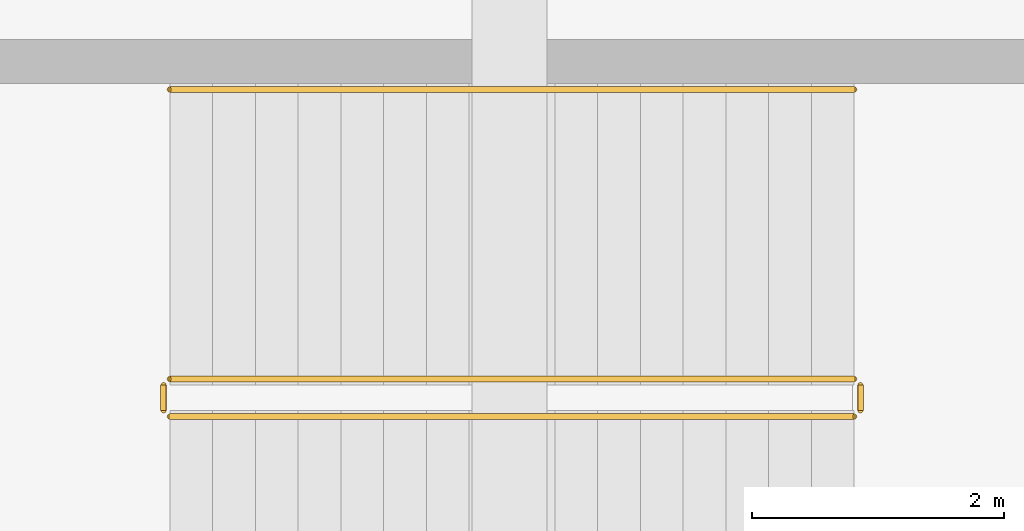
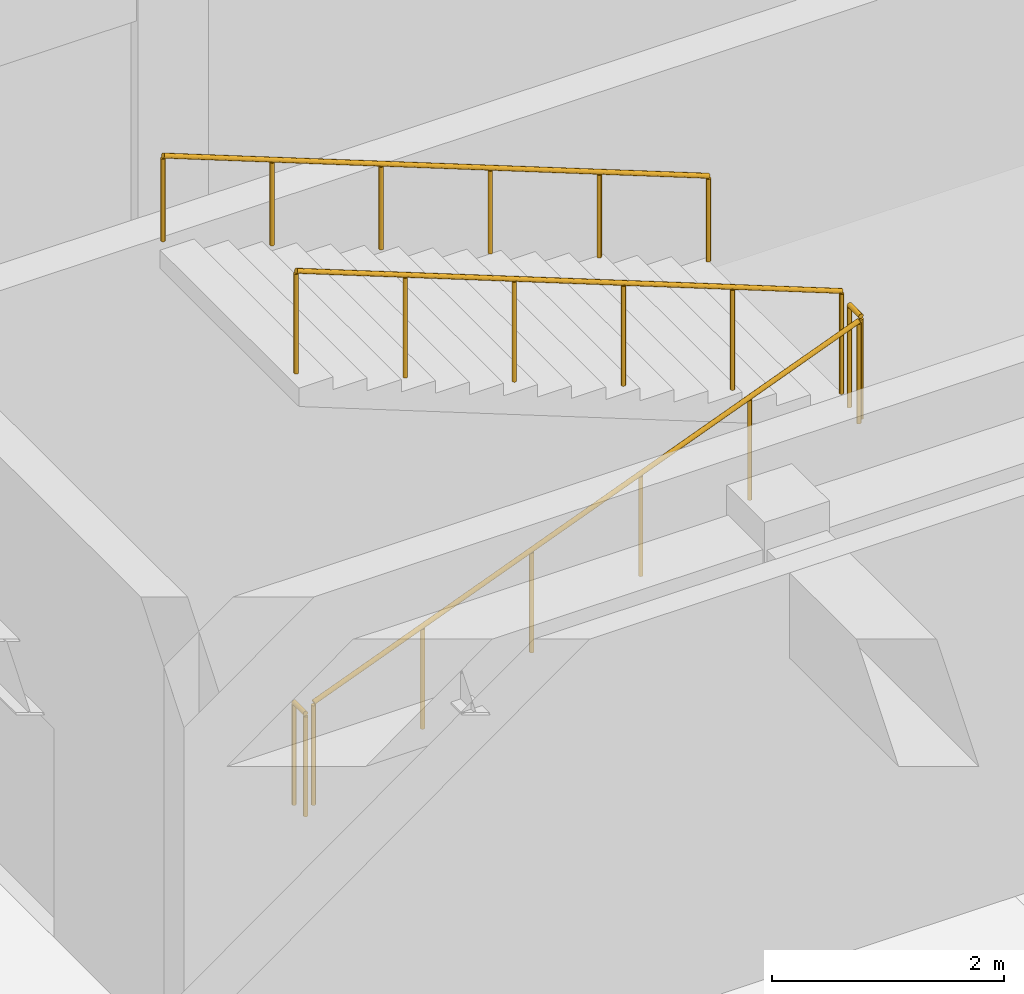
# One storey, part 28 of 33: 5 railings.
"""IFC4 building model written with IfcOpenShell, lengths in metres."""

from ifc_helpers import new_model, si_unit, direction, frame, origin, origin_2d, place, context, subcontext, project, spatial, circle, extrude, material, type_object, element, save


model = new_model("IFC4")

# Units and contexts
model_context = context("Model", 3, precision=1e-05, world=origin(), true_north=direction((0.0, 1.0)))
body_context = subcontext(model_context, "Body", "Model", "MODEL_VIEW")
ifc_project = project(units=[si_unit("LENGTHUNIT", "METRE"), si_unit("AREAUNIT", "SQUARE_METRE"), si_unit("VOLUMEUNIT", "CUBIC_METRE"), si_unit("PLANEANGLEUNIT", "RADIAN"), si_unit("MASSUNIT", "GRAM", prefix="KILO")], contexts=[model_context])

# Site, building, storey
site_placement = place(None, origin())
site = spatial("IfcSite", under=ifc_project, at=site_placement, CompositionType="ELEMENT")
building_placement = place(site_placement, origin())
building = spatial("IfcBuilding", under=site, at=building_placement, Name="Veldera Park Congress Hotel", CompositionType="ELEMENT")
storey_placement = place(building_placement, frame((0.0, 0.0, -4.5)))
storey = spatial("IfcBuildingStorey", under=building, at=storey_placement, Name="B1", CompositionType="ELEMENT", Elevation=-4.5)

# Railings
ifc_material = material(Name="Steel ASTM A992 Gr.50", Category="steel")
railing_type_1 = type_object("IfcRailingType", Name="GRD-ST110", PredefinedType="GUARDRAIL", material=ifc_material)
railing_1_placement = place(storey_placement, frame((-40.10009765625, 50.550048828125, 0.13232421875)))
element("IfcRailing", 1, at=railing_1_placement, inside=storey, type_object=railing_type_1, Name="B1 ST4 stair guard 1", PredefinedType="GUARDRAIL", context=body_context, shape_type="SweptSolid", body=[
    extrude(circle(Radius=0.02392578125, at=origin_2d()), frame((0.0, 0.0, 1.076171875), z_axis=(0.931886111629, 0.0, 0.362750982016), x_axis=(0.0, 1.0, 0.0)), (0.0, 0.0, 1.0), 5.837890625),
    extrude(circle(Radius=0.02099609375, at=origin_2d()), origin(), (0.0, 0.0, 1.0), 1.052001953125),
    extrude(circle(Radius=0.02099609375, at=origin_2d()), frame((1.088134765625, 0.0, 0.423583984375)), (0.0, 0.0, 1.0), 1.052001953125),
    extrude(circle(Radius=0.02099609375, at=origin_2d()), frame((2.176025390625, 0.0, 0.84716796875)), (0.0, 0.0, 1.0), 1.052001953125),
    extrude(circle(Radius=0.02099609375, at=origin_2d()), frame((3.26416015625, 0.0, 1.2705078125)), (0.0, 0.0, 1.0), 1.052001953125),
    extrude(circle(Radius=0.02099609375, at=origin_2d()), frame((4.35205078125, 0.0, 1.694091796875)), (0.0, 0.0, 1.0), 1.052001953125),
    extrude(circle(Radius=0.02099609375, at=origin_2d()), frame((5.440185546875, 0.0, 2.11767578125)), (0.0, 0.0, 1.0), 1.052001953125),
])
railing_2_placement = place(storey_placement, frame((-34.610107421875, 50.60009765625, 2.25)))
element("IfcRailing", 2, at=railing_2_placement, inside=storey, type_object=railing_type_1, Name="B1 ST4 stair guard 2", PredefinedType="GUARDRAIL", context=body_context, shape_type="SweptSolid", body=[
    extrude(circle(Radius=0.02392578125, at=origin_2d()), frame((0.0, 0.0, 1.076171875), z_axis=(0.0, 1.0, 0.0), x_axis=(-1.0, 0.0, 0.0)), (0.0, 0.0, 1.0), 0.199951171875),
    extrude(circle(Radius=0.02099609375, at=origin_2d()), origin(), (0.0, 0.0, 1.0), 1.052001953125),
    extrude(circle(Radius=0.02099609375, at=origin_2d()), frame((0.0, 0.199951171875, 0.0)), (0.0, 0.0, 1.0), 1.052001953125),
])
railing_3_placement = place(storey_placement, frame((-34.659912109375, 50.85009765625, 2.38232421875)))
element("IfcRailing", 3, at=railing_3_placement, inside=storey, type_object=railing_type_1, Name="B1 ST4 stair guard 3", PredefinedType="GUARDRAIL", context=body_context, shape_type="SweptSolid", body=[
    extrude(circle(Radius=0.02392578125, at=origin_2d()), frame((0.0, 0.0, 1.076171875), z_axis=(-0.931886111629, 0.0, 0.362750982016), x_axis=(0.0, -1.0, 0.0)), (0.0, 0.0, 1.0), 5.837890625),
    extrude(circle(Radius=0.02099609375, at=origin_2d()), origin(), (0.0, 0.0, 1.0), 1.052001953125),
    extrude(circle(Radius=0.02099609375, at=origin_2d()), frame((-1.088134765625, 0.0, 0.423583984375)), (0.0, 0.0, 1.0), 1.052001953125),
    extrude(circle(Radius=0.02099609375, at=origin_2d()), frame((-2.176025390625, 0.0, 0.84716796875)), (0.0, 0.0, 1.0), 1.052001953125),
    extrude(circle(Radius=0.02099609375, at=origin_2d()), frame((-3.26416015625, 0.0, 1.2705078125)), (0.0, 0.0, 1.0), 1.052001953125),
    extrude(circle(Radius=0.02099609375, at=origin_2d()), frame((-4.35205078125, 0.0, 1.694091796875)), (0.0, 0.0, 1.0), 1.052001953125),
    extrude(circle(Radius=0.02099609375, at=origin_2d()), frame((-5.440185546875, 0.0, 2.11767578125)), (0.0, 0.0, 1.0), 1.052001953125),
])
railing_4_placement = place(storey_placement, frame((-40.14990234375, 50.60009765625, 0.0)))
element("IfcRailing", 4, at=railing_4_placement, inside=storey, type_object=railing_type_1, Name="B1 ST4 stair guard 4", PredefinedType="GUARDRAIL", context=body_context, shape_type="SweptSolid", body=[
    extrude(circle(Radius=0.02392578125, at=origin_2d()), frame((0.0, 0.0, 1.076171875), z_axis=(0.0, 1.0, 0.0), x_axis=(-1.0, 0.0, 0.0)), (0.0, 0.0, 1.0), 0.199951171875),
    extrude(circle(Radius=0.02099609375, at=origin_2d()), origin(), (0.0, 0.0, 1.0), 1.052001953125),
    extrude(circle(Radius=0.02099609375, at=origin_2d()), frame((0.0, 0.199951171875, 0.0)), (0.0, 0.0, 1.0), 1.052001953125),
])
railing_type_2 = type_object("IfcRailingType", Name="HRL-920", PredefinedType="HANDRAIL", material=ifc_material)
railing_5_placement = place(storey_placement, frame((-34.659912109375, 53.14990234375, 2.38232421875)))
element("IfcRailing", 5, at=railing_5_placement, inside=storey, type_object=railing_type_2, Name="B1 ST4 stair handrail 2", PredefinedType="HANDRAIL", context=body_context, shape_type="SweptSolid", body=[
    extrude(circle(Radius=0.02392578125, at=origin_2d()), frame((0.0, 0.0, 0.89599609375), z_axis=(-0.931886111629, 0.0, 0.362750982016), x_axis=(0.0, -1.0, 0.0)), (0.0, 0.0, 1.0), 5.837890625),
    extrude(circle(Radius=0.02099609375, at=origin_2d()), origin(), (0.0, 0.0, 1.0), 0.871826171875),
    extrude(circle(Radius=0.02099609375, at=origin_2d()), frame((-1.088134765625, 0.0, 0.423583984375)), (0.0, 0.0, 1.0), 0.871826171875),
    extrude(circle(Radius=0.02099609375, at=origin_2d()), frame((-2.176025390625, 0.0, 0.84716796875)), (0.0, 0.0, 1.0), 0.871826171875),
    extrude(circle(Radius=0.02099609375, at=origin_2d()), frame((-3.26416015625, 0.0, 1.2705078125)), (0.0, 0.0, 1.0), 0.871826171875),
    extrude(circle(Radius=0.02099609375, at=origin_2d()), frame((-4.35205078125, 0.0, 1.694091796875)), (0.0, 0.0, 1.0), 0.871826171875),
    extrude(circle(Radius=0.02099609375, at=origin_2d()), frame((-5.440185546875, 0.0, 2.11767578125)), (0.0, 0.0, 1.0), 0.871826171875),
])

save(model, "model.ifc")
